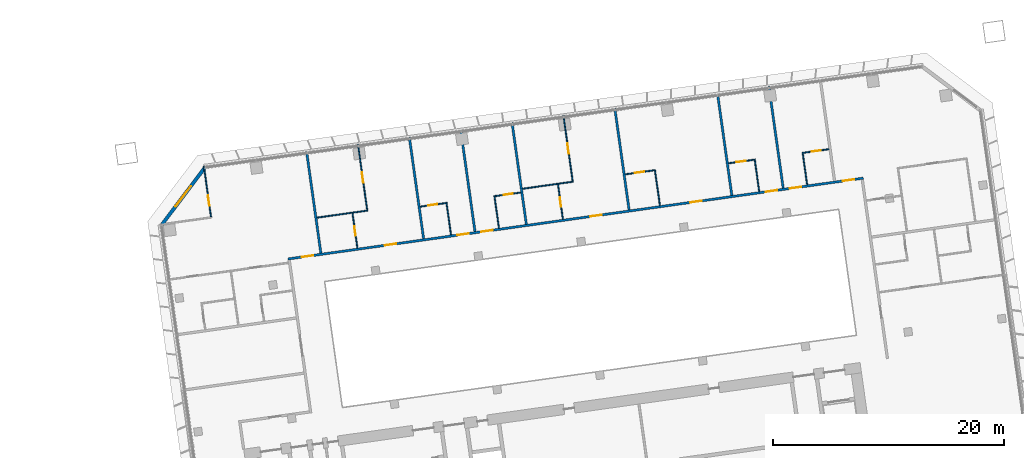
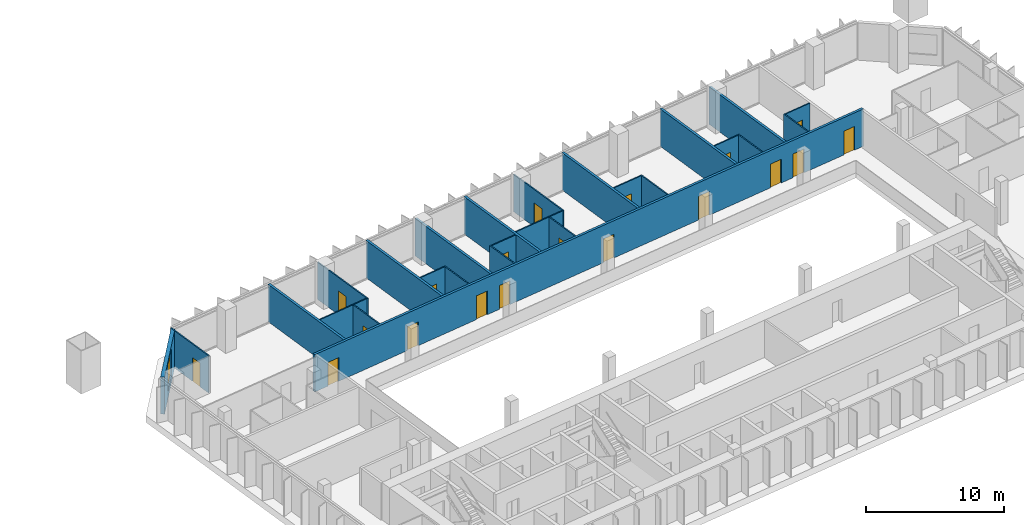
# One storey, part 20 of 24: 26 walls, 19 doors, 1 window, 20 openings.
"""IFC4 building model written with IfcOpenShell, lengths in metres."""

from ifc_helpers import new_model, si_unit, direction, frame, frame_2d, origin, place, context, subcontext, project, spatial, rectangle, extrude, material, layer, layer_set, type_object, element, fill, save


model = new_model("IFC4")

# Units and contexts
model_context = context("Model", 3, precision=1e-05, world=origin(), true_north=direction((0.0, 1.0)))
body_context = subcontext(model_context, "Body", "Model", "MODEL_VIEW")
ifc_project = project(units=[si_unit("LENGTHUNIT", "METRE"), si_unit("AREAUNIT", "SQUARE_METRE"), si_unit("VOLUMEUNIT", "CUBIC_METRE"), si_unit("PLANEANGLEUNIT", "RADIAN"), si_unit("MASSUNIT", "GRAM", prefix="KILO")], contexts=[model_context])

# Site, building, storey
site_placement = place(None, origin())
site = spatial("IfcSite", under=ifc_project, at=site_placement, CompositionType="ELEMENT")
building_placement = place(site_placement, origin())
building = spatial("IfcBuilding", under=site, at=building_placement, Name="Mirante Cascada Hotel Towers", CompositionType="ELEMENT")
storey_placement = place(building_placement, frame((0.0, 0.0, 88.9)))
storey = spatial("IfcBuildingStorey", under=building, at=storey_placement, Name="L19", CompositionType="ELEMENT", Elevation=88.9)

# Wall, openings, doors
ifc_material_1 = material(Name="Fire-rated plasterboard on metal studs")
ifc_layer_1 = layer(ifc_material_1, 0.2)
ifc_layer_set_1 = layer_set([ifc_layer_1], Name="Compartment wall 200 EI 120")
wall_type_1 = type_object("IfcWallType", Name="Compartment wall 200 EI 120", PredefinedType="PARTITIONING", material=ifc_layer_set_1)
wall_1_placement = place(storey_placement, frame((39.1051, 9.3779, 0.0), z_axis=(0.0, 0.0, 1.0), x_axis=(0.9902681, 0.1391727, 0.0)))
wall_1 = element("IfcWall", 1, at=wall_1_placement, inside=storey, type_object=wall_type_1, Name="Wall 2-L19-14", PredefinedType="PARTITIONING", context=body_context, shape_type="SweptSolid", body=[
    extrude(rectangle(XDim=50.4, YDim=0.2, at=frame_2d((25.2, 0.0))), origin(), (0.0, 0.0, 1.0), 3.3),
])
opening_1_placement = place(wall_1_placement, frame((1.2, 0.0, 0.0)))
opening_1 = element("IfcOpeningElement", 2, at=opening_1_placement, cuts=wall_1, Name="Opening D2-L19-08", PredefinedType="OPENING", context=body_context, shape_type="SweptSolid", body=[
    extrude(rectangle(XDim=1.0, YDim=2.1, at=frame_2d((0.5, 1.05))), frame((0.0, 0.1, 0.0), z_axis=(0.0, -1.0, 0.0), x_axis=(1.0, 0.0, 0.0)), (0.0, 0.0, 1.0), 0.2),
])
opening_2_placement = place(wall_1_placement, frame((8.5, 0.0, 0.0)))
opening_2 = element("IfcOpeningElement", 3, at=opening_2_placement, cuts=wall_1, Name="Opening D2-L19-09", PredefinedType="OPENING", context=body_context, shape_type="SweptSolid", body=[
    extrude(rectangle(XDim=1.0, YDim=2.1, at=frame_2d((0.5, 1.05))), frame((0.0, 0.1, 0.0), z_axis=(0.0, -1.0, 0.0), x_axis=(1.0, 0.0, 0.0)), (0.0, 0.0, 1.0), 0.2),
])
opening_3_placement = place(wall_1_placement, frame((14.85, 0.0, 0.0)))
opening_3 = element("IfcOpeningElement", 4, at=opening_3_placement, cuts=wall_1, Name="Opening D2-L19-10", PredefinedType="OPENING", context=body_context, shape_type="SweptSolid", body=[
    extrude(rectangle(XDim=1.0, YDim=2.1, at=frame_2d((0.5, 1.05))), frame((0.0, 0.1, 0.0), z_axis=(0.0, -1.0, 0.0), x_axis=(1.0, 0.0, 0.0)), (0.0, 0.0, 1.0), 0.2),
])
opening_4_placement = place(wall_1_placement, frame((16.95, 0.0, 0.0)))
opening_4 = element("IfcOpeningElement", 5, at=opening_4_placement, cuts=wall_1, Name="Opening D2-L19-11", PredefinedType="OPENING", context=body_context, shape_type="SweptSolid", body=[
    extrude(rectangle(XDim=1.0, YDim=2.1, at=frame_2d((0.5, 1.05))), frame((0.0, 0.1, 0.0), z_axis=(0.0, -1.0, 0.0), x_axis=(1.0, 0.0, 0.0)), (0.0, 0.0, 1.0), 0.2),
])
opening_5_placement = place(wall_1_placement, frame((26.5, 0.0, 0.0)))
opening_5 = element("IfcOpeningElement", 6, at=opening_5_placement, cuts=wall_1, Name="Opening D2-L19-12", PredefinedType="OPENING", context=body_context, shape_type="SweptSolid", body=[
    extrude(rectangle(XDim=1.0, YDim=2.1, at=frame_2d((0.5, 1.05))), frame((0.0, 0.1, 0.0), z_axis=(0.0, -1.0, 0.0), x_axis=(1.0, 0.0, 0.0)), (0.0, 0.0, 1.0), 0.2),
])
opening_6_placement = place(wall_1_placement, frame((35.25, 0.0, 0.0)))
opening_6 = element("IfcOpeningElement", 7, at=opening_6_placement, cuts=wall_1, Name="Opening D2-L19-13", PredefinedType="OPENING", context=body_context, shape_type="SweptSolid", body=[
    extrude(rectangle(XDim=1.0, YDim=2.1, at=frame_2d((0.5, 1.05))), frame((0.0, 0.1, 0.0), z_axis=(0.0, -1.0, 0.0), x_axis=(1.0, 0.0, 0.0)), (0.0, 0.0, 1.0), 0.2),
])
opening_7_placement = place(wall_1_placement, frame((41.85, 0.0, 0.0)))
opening_7 = element("IfcOpeningElement", 8, at=opening_7_placement, cuts=wall_1, Name="Opening D2-L19-14", PredefinedType="OPENING", context=body_context, shape_type="SweptSolid", body=[
    extrude(rectangle(XDim=1.0, YDim=2.1, at=frame_2d((0.5, 1.05))), frame((0.0, 0.1, 0.0), z_axis=(0.0, -1.0, 0.0), x_axis=(1.0, 0.0, 0.0)), (0.0, 0.0, 1.0), 0.2),
])
opening_8_placement = place(wall_1_placement, frame((43.95, 0.0, 0.0)))
opening_8 = element("IfcOpeningElement", 9, at=opening_8_placement, cuts=wall_1, Name="Opening D2-L19-15", PredefinedType="OPENING", context=body_context, shape_type="SweptSolid", body=[
    extrude(rectangle(XDim=1.0, YDim=2.1, at=frame_2d((0.5, 1.05))), frame((0.0, 0.1, 0.0), z_axis=(0.0, -1.0, 0.0), x_axis=(1.0, 0.0, 0.0)), (0.0, 0.0, 1.0), 0.2),
])
opening_9_placement = place(wall_1_placement, frame((48.6, 0.0, 0.0)))
opening_9 = element("IfcOpeningElement", 10, at=opening_9_placement, cuts=wall_1, Name="Opening D2-L19-16", PredefinedType="OPENING", context=body_context, shape_type="SweptSolid", body=[
    extrude(rectangle(XDim=1.0, YDim=2.1, at=frame_2d((0.5, 1.05))), frame((0.0, 0.1, 0.0), z_axis=(0.0, -1.0, 0.0), x_axis=(1.0, 0.0, 0.0)), (0.0, 0.0, 1.0), 0.2),
])
ifc_material_2 = material(Name="Fire-rated timber door leaf", Category="wood")
door_type_1 = type_object("IfcDoorType", Name="Entrance door DG1 1000x2100 EI 60", OperationType="SINGLE_SWING_LEFT", PredefinedType="DOOR", material=ifc_material_2)
door_1_placement = place(opening_1_placement, origin())
door_1 = element("IfcDoor", 11, at=door_1_placement, inside=storey, type_object=door_type_1, Name="Door D2-L19-08", OperationType="SINGLE_SWING_LEFT", OverallHeight=2.1, OverallWidth=1.0, PredefinedType="DOOR", context=body_context, shape_type="SweptSolid", body=[
    extrude(rectangle(XDim=1.0, YDim=2.1, at=frame_2d((0.5, 1.05))), frame((0.0, 0.025, 0.0), z_axis=(0.0, -1.0, 0.0), x_axis=(1.0, 0.0, 0.0)), (0.0, 0.0, 1.0), 0.05),
])
fill(opening_1, door_1)
door_2_placement = place(opening_2_placement, origin())
door_2 = element("IfcDoor", 12, at=door_2_placement, inside=storey, type_object=door_type_1, Name="Door D2-L19-09", OperationType="SINGLE_SWING_LEFT", OverallHeight=2.1, OverallWidth=1.0, PredefinedType="DOOR", context=body_context, shape_type="SweptSolid", body=[
    extrude(rectangle(XDim=1.0, YDim=2.1, at=frame_2d((0.5, 1.05))), frame((0.0, 0.025, 0.0), z_axis=(0.0, -1.0, 0.0), x_axis=(1.0, 0.0, 0.0)), (0.0, 0.0, 1.0), 0.05),
])
fill(opening_2, door_2)
door_3_placement = place(opening_3_placement, origin())
door_3 = element("IfcDoor", 13, at=door_3_placement, inside=storey, type_object=door_type_1, Name="Door D2-L19-10", OperationType="SINGLE_SWING_LEFT", OverallHeight=2.1, OverallWidth=1.0, PredefinedType="DOOR", context=body_context, shape_type="SweptSolid", body=[
    extrude(rectangle(XDim=1.0, YDim=2.1, at=frame_2d((0.5, 1.05))), frame((0.0, 0.025, 0.0), z_axis=(0.0, -1.0, 0.0), x_axis=(1.0, 0.0, 0.0)), (0.0, 0.0, 1.0), 0.05),
])
fill(opening_3, door_3)
door_4_placement = place(opening_4_placement, origin())
door_4 = element("IfcDoor", 14, at=door_4_placement, inside=storey, type_object=door_type_1, Name="Door D2-L19-11", OperationType="SINGLE_SWING_LEFT", OverallHeight=2.1, OverallWidth=1.0, PredefinedType="DOOR", context=body_context, shape_type="SweptSolid", body=[
    extrude(rectangle(XDim=1.0, YDim=2.1, at=frame_2d((0.5, 1.05))), frame((0.0, 0.025, 0.0), z_axis=(0.0, -1.0, 0.0), x_axis=(1.0, 0.0, 0.0)), (0.0, 0.0, 1.0), 0.05),
])
fill(opening_4, door_4)
door_5_placement = place(opening_5_placement, origin())
door_5 = element("IfcDoor", 15, at=door_5_placement, inside=storey, type_object=door_type_1, Name="Door D2-L19-12", OperationType="SINGLE_SWING_LEFT", OverallHeight=2.1, OverallWidth=1.0, PredefinedType="DOOR", context=body_context, shape_type="SweptSolid", body=[
    extrude(rectangle(XDim=1.0, YDim=2.1, at=frame_2d((0.5, 1.05))), frame((0.0, 0.025, 0.0), z_axis=(0.0, -1.0, 0.0), x_axis=(1.0, 0.0, 0.0)), (0.0, 0.0, 1.0), 0.05),
])
fill(opening_5, door_5)
door_6_placement = place(opening_6_placement, origin())
door_6 = element("IfcDoor", 16, at=door_6_placement, inside=storey, type_object=door_type_1, Name="Door D2-L19-13", OperationType="SINGLE_SWING_LEFT", OverallHeight=2.1, OverallWidth=1.0, PredefinedType="DOOR", context=body_context, shape_type="SweptSolid", body=[
    extrude(rectangle(XDim=1.0, YDim=2.1, at=frame_2d((0.5, 1.05))), frame((0.0, 0.025, 0.0), z_axis=(0.0, -1.0, 0.0), x_axis=(1.0, 0.0, 0.0)), (0.0, 0.0, 1.0), 0.05),
])
fill(opening_6, door_6)
door_7_placement = place(opening_7_placement, origin())
door_7 = element("IfcDoor", 17, at=door_7_placement, inside=storey, type_object=door_type_1, Name="Door D2-L19-14", OperationType="SINGLE_SWING_LEFT", OverallHeight=2.1, OverallWidth=1.0, PredefinedType="DOOR", context=body_context, shape_type="SweptSolid", body=[
    extrude(rectangle(XDim=1.0, YDim=2.1, at=frame_2d((0.5, 1.05))), frame((0.0, 0.025, 0.0), z_axis=(0.0, -1.0, 0.0), x_axis=(1.0, 0.0, 0.0)), (0.0, 0.0, 1.0), 0.05),
])
fill(opening_7, door_7)
door_8_placement = place(opening_8_placement, origin())
door_8 = element("IfcDoor", 18, at=door_8_placement, inside=storey, type_object=door_type_1, Name="Door D2-L19-15", OperationType="SINGLE_SWING_LEFT", OverallHeight=2.1, OverallWidth=1.0, PredefinedType="DOOR", context=body_context, shape_type="SweptSolid", body=[
    extrude(rectangle(XDim=1.0, YDim=2.1, at=frame_2d((0.5, 1.05))), frame((0.0, 0.025, 0.0), z_axis=(0.0, -1.0, 0.0), x_axis=(1.0, 0.0, 0.0)), (0.0, 0.0, 1.0), 0.05),
])
fill(opening_8, door_8)
door_9_placement = place(opening_9_placement, origin())
door_9 = element("IfcDoor", 19, at=door_9_placement, inside=storey, type_object=door_type_1, Name="Door D2-L19-16", OperationType="SINGLE_SWING_LEFT", OverallHeight=2.1, OverallWidth=1.0, PredefinedType="DOOR", context=body_context, shape_type="SweptSolid", body=[
    extrude(rectangle(XDim=1.0, YDim=2.1, at=frame_2d((0.5, 1.05))), frame((0.0, 0.025, 0.0), z_axis=(0.0, -1.0, 0.0), x_axis=(1.0, 0.0, 0.0)), (0.0, 0.0, 1.0), 0.05),
])
fill(opening_9, door_9)

# Walls
for number, where, z_axis, x_axis, name in (
    (20, (41.963, 9.8805, 0.0), (0.0, 0.0, 1.0), (-0.1391794, 0.9902672, 0.0), "Wall 2-L19-32"),
    (21, (49.6367, 19.9465, 0.0), (0.0, 0.0, 1.0), (0.1391794, -0.9902672, 0.0), "Wall 2-L19-35"),
    (22, (54.0929, 20.5728, 0.0), (0.0, 0.0, 1.0), (0.1391794, -0.9902672, 0.0), "Wall 2-L19-37"),
):
    element("IfcWall", number, at=place(storey_placement, frame(where, z_axis=z_axis, x_axis=x_axis)), inside=storey, type_object=wall_type_1, Name=name, PredefinedType="PARTITIONING", context=body_context, shape_type="SweptSolid", body=[
        extrude(rectangle(XDim=8.9, YDim=0.2, at=frame_2d((4.45, 0.0))), origin(), (0.0, 0.0, 1.0), 3.3),
    ])
wall_2_placement = place(storey_placement, frame((58.5492, 21.199, 0.0), z_axis=(0.0, 0.0, 1.0), x_axis=(0.13917, -0.9902685, 0.0)))
element("IfcWall", 23, at=wall_2_placement, inside=storey, type_object=wall_type_1, Name="Wall 2-L19-39", PredefinedType="PARTITIONING", context=body_context, shape_type="SweptSolid", body=[
    extrude(rectangle(XDim=8.8999, YDim=0.2, at=frame_2d((4.45, 0.0))), origin(), (0.0, 0.0, 1.0), 3.3),
])
for number, where, z_axis, x_axis, name in (
    (24, (68.7002, 13.6382, 0.0), (0.0, 0.0, 1.0), (-0.1391684, 0.9902687, 0.0), "Wall 2-L19-42"),
    (25, (77.6126, 14.8908, 0.0), (0.0, 0.0, 1.0), (-0.1391684, 0.9902687, 0.0), "Wall 2-L19-44"),
):
    element("IfcWall", number, at=place(storey_placement, frame(where, z_axis=z_axis, x_axis=x_axis)), inside=storey, type_object=wall_type_1, Name=name, PredefinedType="PARTITIONING", context=body_context, shape_type="SweptSolid", body=[
        extrude(rectangle(XDim=8.9, YDim=0.2, at=frame_2d((4.45, 0.0))), origin(), (0.0, 0.0, 1.0), 3.3),
    ])
wall_3_placement = place(storey_placement, frame((82.0688, 15.5171, 0.0), z_axis=(0.0, 0.0, 1.0), x_axis=(-0.13917, 0.9902685, 0.0)))
element("IfcWall", 26, at=wall_3_placement, inside=storey, type_object=wall_type_1, Name="Wall 2-L19-46", PredefinedType="PARTITIONING", context=body_context, shape_type="SweptSolid", body=[
    extrude(rectangle(XDim=8.8999, YDim=0.2, at=frame_2d((4.45, 0.0))), origin(), (0.0, 0.0, 1.0), 3.3),
])

# Wall, opening, door
ifc_material_3 = material(Name="Plasterboard on metal studs")
ifc_layer_2 = layer(ifc_material_3, 0.1)
ifc_layer_set_2 = layer_set([ifc_layer_2], Name="Partition 100")
wall_type_2 = type_object("IfcWallType", Name="Partition 100", PredefinedType="PARTITIONING", material=ifc_layer_set_2)
wall_4_placement = place(storey_placement, frame((50.5847, 13.9198, 0.0), z_axis=(0.0, 0.0, 1.0), x_axis=(0.9902705, 0.1391561, 0.0)))
wall_4 = element("IfcWall", 27, at=wall_4_placement, inside=storey, type_object=wall_type_2, Name="Wall 2-L19-16", PredefinedType="PARTITIONING", context=body_context, shape_type="SweptSolid", body=[
    extrude(rectangle(XDim=2.25, YDim=0.1, at=frame_2d((1.125, 0.0))), origin(), (0.0, 0.0, 1.0), 3.3),
])
opening_10_placement = place(wall_4_placement, frame((0.7, 0.0, 0.0)))
opening_10 = element("IfcOpeningElement", 28, at=opening_10_placement, cuts=wall_4, Name="Opening D2-L19-18", PredefinedType="OPENING", context=body_context, shape_type="SweptSolid", body=[
    extrude(rectangle(XDim=0.8, YDim=2.1, at=frame_2d((0.4, 1.05))), frame((0.0, 0.05, 0.0), z_axis=(0.0, -1.0, 0.0), x_axis=(1.0, 0.0, 0.0)), (0.0, 0.0, 1.0), 0.1),
])
ifc_material_4 = material(Name="Timber door leaf", Category="wood")
door_type_2 = type_object("IfcDoorType", Name="Bathroom door DG4 800x2100", OperationType="SINGLE_SWING_LEFT", PredefinedType="DOOR", material=ifc_material_4)
door_10_placement = place(opening_10_placement, origin())
door_10 = element("IfcDoor", 29, at=door_10_placement, inside=storey, type_object=door_type_2, Name="Door D2-L19-18", OperationType="SINGLE_SWING_LEFT", OverallHeight=2.1, OverallWidth=0.8, PredefinedType="DOOR", context=body_context, shape_type="SweptSolid", body=[
    extrude(rectangle(XDim=0.8, YDim=2.1, at=frame_2d((0.4, 1.05))), frame((0.0, 0.025, 0.0), z_axis=(0.0, -1.0, 0.0), x_axis=(1.0, 0.0, 0.0)), (0.0, 0.0, 1.0), 0.05),
])
fill(opening_10, door_10)

wall_5_placement = place(storey_placement, frame((59.2991, 15.1445, 0.0), z_axis=(0.0, 0.0, 1.0), x_axis=(-0.9902705, -0.1391561, 0.0)))
wall_5 = element("IfcWall", 30, at=wall_5_placement, inside=storey, type_object=wall_type_2, Name="Wall 2-L19-17", PredefinedType="PARTITIONING", context=body_context, shape_type="SweptSolid", body=[
    extrude(rectangle(XDim=2.25, YDim=0.1, at=frame_2d((1.125, 0.0))), origin(), (0.0, 0.0, 1.0), 3.3),
])
opening_11_placement = place(wall_5_placement, frame((0.7, 0.0, 0.0)))
opening_11 = element("IfcOpeningElement", 31, at=opening_11_placement, cuts=wall_5, Name="Opening D2-L19-19", PredefinedType="OPENING", context=body_context, shape_type="SweptSolid", body=[
    extrude(rectangle(XDim=0.8, YDim=2.1, at=frame_2d((0.4, 1.05))), frame((0.0, 0.05, 0.0), z_axis=(0.0, -1.0, 0.0), x_axis=(1.0, 0.0, 0.0)), (0.0, 0.0, 1.0), 0.1),
])
door_11_placement = place(opening_11_placement, frame((0.8, 0.0, 0.0), z_axis=(0.0, 0.0, 1.0), x_axis=(-1.0, 0.0, 0.0)))
door_11 = element("IfcDoor", 32, at=door_11_placement, inside=storey, type_object=door_type_2, Name="Door D2-L19-19", OperationType="SINGLE_SWING_RIGHT", OverallHeight=2.1, OverallWidth=0.8, PredefinedType="DOOR", context=body_context, shape_type="SweptSolid", body=[
    extrude(rectangle(XDim=0.8, YDim=2.1, at=frame_2d((0.4, 1.05))), frame((0.0, 0.025, 0.0), z_axis=(0.0, -1.0, 0.0), x_axis=(1.0, 0.0, 0.0)), (0.0, 0.0, 1.0), 0.05),
])
fill(opening_11, door_11)

wall_6_placement = place(storey_placement, frame((77.322, 17.6774, 0.0), z_axis=(0.0, 0.0, 1.0), x_axis=(0.9902643, 0.1391997, 0.0)))
wall_6 = element("IfcWall", 33, at=wall_6_placement, inside=storey, type_object=wall_type_2, Name="Wall 2-L19-18", PredefinedType="PARTITIONING", context=body_context, shape_type="SweptSolid", body=[
    extrude(rectangle(XDim=2.25, YDim=0.1, at=frame_2d((1.125, 0.0))), origin(), (0.0, 0.0, 1.0), 3.3),
])
opening_12_placement = place(wall_6_placement, frame((0.7, 0.0, 0.0)))
opening_12 = element("IfcOpeningElement", 34, at=opening_12_placement, cuts=wall_6, Name="Opening D2-L19-20", PredefinedType="OPENING", context=body_context, shape_type="SweptSolid", body=[
    extrude(rectangle(XDim=0.8, YDim=2.1, at=frame_2d((0.4, 1.05))), frame((0.0, 0.05, 0.0), z_axis=(0.0, -1.0, 0.0), x_axis=(1.0, 0.0, 0.0)), (0.0, 0.0, 1.0), 0.1),
])
door_12_placement = place(opening_12_placement, origin())
door_12 = element("IfcDoor", 35, at=door_12_placement, inside=storey, type_object=door_type_2, Name="Door D2-L19-20", OperationType="SINGLE_SWING_LEFT", OverallHeight=2.1, OverallWidth=0.8, PredefinedType="DOOR", context=body_context, shape_type="SweptSolid", body=[
    extrude(rectangle(XDim=0.8, YDim=2.1, at=frame_2d((0.4, 1.05))), frame((0.0, 0.025, 0.0), z_axis=(0.0, -1.0, 0.0), x_axis=(1.0, 0.0, 0.0)), (0.0, 0.0, 1.0), 0.05),
])
fill(opening_12, door_12)

wall_7_placement = place(storey_placement, frame((86.0363, 18.9022, 0.0), z_axis=(0.0, 0.0, 1.0), x_axis=(-0.9902643, -0.1391997, 0.0)))
wall_7 = element("IfcWall", 36, at=wall_7_placement, inside=storey, type_object=wall_type_2, Name="Wall 2-L19-19", PredefinedType="PARTITIONING", context=body_context, shape_type="SweptSolid", body=[
    extrude(rectangle(XDim=2.25, YDim=0.1, at=frame_2d((1.125, 0.0))), origin(), (0.0, 0.0, 1.0), 3.3),
])
opening_13_placement = place(wall_7_placement, frame((0.7, 0.0, 0.0)))
opening_13 = element("IfcOpeningElement", 37, at=opening_13_placement, cuts=wall_7, Name="Opening D2-L19-21", PredefinedType="OPENING", context=body_context, shape_type="SweptSolid", body=[
    extrude(rectangle(XDim=0.8, YDim=2.1, at=frame_2d((0.4, 1.05))), frame((0.0, 0.05, 0.0), z_axis=(0.0, -1.0, 0.0), x_axis=(1.0, 0.0, 0.0)), (0.0, 0.0, 1.0), 0.1),
])
door_13_placement = place(opening_13_placement, frame((0.8, 0.0, 0.0), z_axis=(0.0, 0.0, 1.0), x_axis=(-1.0, 0.0, 0.0)))
door_13 = element("IfcDoor", 38, at=door_13_placement, inside=storey, type_object=door_type_2, Name="Door D2-L19-21", OperationType="SINGLE_SWING_RIGHT", OverallHeight=2.1, OverallWidth=0.8, PredefinedType="DOOR", context=body_context, shape_type="SweptSolid", body=[
    extrude(rectangle(XDim=0.8, YDim=2.1, at=frame_2d((0.4, 1.05))), frame((0.0, 0.025, 0.0), z_axis=(0.0, -1.0, 0.0), x_axis=(1.0, 0.0, 0.0)), (0.0, 0.0, 1.0), 0.05),
])
fill(opening_13, door_13)

# Walls
wall_8_placement = place(storey_placement, frame((41.6306, 12.9643, 0.0), z_axis=(0.0, 0.0, 1.0), x_axis=(0.9902679, 0.1391745, 0.0)))
element("IfcWall", 39, at=wall_8_placement, inside=storey, type_object=wall_type_2, Name="Wall 2-L19-20", PredefinedType="PARTITIONING", context=body_context, shape_type="SweptSolid", body=[
    extrude(rectangle(XDim=4.3499, YDim=0.1, at=frame_2d((2.175, 0.0))), origin(), (0.0, 0.0, 1.0), 3.3),
])
wall_9_placement = place(storey_placement, frame((63.7631, 16.0748, 0.0), z_axis=(0.0, 0.0, 1.0), x_axis=(-0.9902683, -0.1391714, 0.0)))
element("IfcWall", 40, at=wall_9_placement, inside=storey, type_object=wall_type_2, Name="Wall 2-L19-21", PredefinedType="PARTITIONING", context=body_context, shape_type="SweptSolid", body=[
    extrude(rectangle(XDim=4.35, YDim=0.1, at=frame_2d((2.175, 0.0))), origin(), (0.0, 0.0, 1.0), 3.3),
])

# Wall, opening, door
wall_10_placement = place(storey_placement, frame((68.3678, 16.722, 0.0), z_axis=(0.0, 0.0, 1.0), x_axis=(0.9902677, 0.1391755, 0.0)))
wall_10 = element("IfcWall", 41, at=wall_10_placement, inside=storey, type_object=wall_type_2, Name="Wall 2-L19-22", PredefinedType="PARTITIONING", context=body_context, shape_type="SweptSolid", body=[
    extrude(rectangle(XDim=2.55, YDim=0.1, at=frame_2d((1.275, 0.0))), origin(), (0.0, 0.0, 1.0), 3.3),
])
opening_14_placement = place(wall_10_placement, frame((0.85, 0.0, 0.0)))
opening_14 = element("IfcOpeningElement", 42, at=opening_14_placement, cuts=wall_10, Name="Opening D2-L19-22", PredefinedType="OPENING", context=body_context, shape_type="SweptSolid", body=[
    extrude(rectangle(XDim=0.8, YDim=2.1, at=frame_2d((0.4, 1.05))), frame((0.0, 0.05, 0.0), z_axis=(0.0, -1.0, 0.0), x_axis=(1.0, 0.0, 0.0)), (0.0, 0.0, 1.0), 0.1),
])
door_14_placement = place(opening_14_placement, origin())
door_14 = element("IfcDoor", 43, at=door_14_placement, inside=storey, type_object=door_type_2, Name="Door D2-L19-22", OperationType="SINGLE_SWING_LEFT", OverallHeight=2.1, OverallWidth=0.8, PredefinedType="DOOR", context=body_context, shape_type="SweptSolid", body=[
    extrude(rectangle(XDim=0.8, YDim=2.1, at=frame_2d((0.4, 1.05))), frame((0.0, 0.025, 0.0), z_axis=(0.0, -1.0, 0.0), x_axis=(1.0, 0.0, 0.0)), (0.0, 0.0, 1.0), 0.05),
])
fill(opening_14, door_14)

wall_11_placement = place(storey_placement, frame((32.4312, 13.0347, 0.0), z_axis=(0.0, 0.0, 1.0), x_axis=(-0.1391684, 0.9902687, 0.0)))
wall_11 = element("IfcWall", 44, at=wall_11_placement, inside=storey, type_object=wall_type_2, Name="Wall 2-L19-28", PredefinedType="PARTITIONING", context=body_context, shape_type="SweptSolid", body=[
    extrude(rectangle(XDim=4.45, YDim=0.1, at=frame_2d((2.225, 0.0))), origin(), (0.0, 0.0, 1.0), 3.3),
])
opening_15_placement = place(wall_11_placement, frame((0.9667, 0.0, 0.0)))
opening_15 = element("IfcOpeningElement", 45, at=opening_15_placement, cuts=wall_11, Name="Opening D2-L19-24", PredefinedType="OPENING", context=body_context, shape_type="SweptSolid", body=[
    extrude(rectangle(XDim=0.9, YDim=2.1, at=frame_2d((0.45, 1.05))), frame((0.0, 0.05, 0.0), z_axis=(0.0, -1.0, 0.0), x_axis=(1.0, 0.0, 0.0)), (0.0, 0.0, 1.0), 0.1),
])
ifc_material_5 = material(Name="Timber door leaf", Category="wood")
door_type_3 = type_object("IfcDoorType", Name="Room door DG3 900x2100", OperationType="SINGLE_SWING_LEFT", PredefinedType="DOOR", material=ifc_material_5)
door_15_placement = place(opening_15_placement, frame((0.9, 0.0, 0.0), z_axis=(0.0, 0.0, 1.0), x_axis=(-1.0, 0.0, 0.0)))
door_15 = element("IfcDoor", 46, at=door_15_placement, inside=storey, type_object=door_type_3, Name="Door D2-L19-24", OperationType="SINGLE_SWING_RIGHT", OverallHeight=2.1, OverallWidth=0.9, PredefinedType="DOOR", context=body_context, shape_type="SweptSolid", body=[
    extrude(rectangle(XDim=0.9, YDim=2.1, at=frame_2d((0.45, 1.05))), frame((0.0, 0.025, 0.0), z_axis=(0.0, -1.0, 0.0), x_axis=(1.0, 0.0, 0.0)), (0.0, 0.0, 1.0), 0.05),
])
fill(opening_15, door_15)

wall_12_placement = place(storey_placement, frame((44.7074, 13.3462, 0.0), z_axis=(0.0, 0.0, 1.0), x_axis=(0.1391488, -0.9902715, 0.0)))
wall_12 = element("IfcWall", 47, at=wall_12_placement, inside=storey, type_object=wall_type_2, Name="Wall 2-L19-33", PredefinedType="PARTITIONING", context=body_context, shape_type="SweptSolid", body=[
    extrude(rectangle(XDim=3.05, YDim=0.1, at=frame_2d((1.525, 0.0))), origin(), (0.0, 0.0, 1.0), 3.3),
])
opening_16_placement = place(wall_12_placement, frame((1.15, 0.0, 0.0)))
opening_16 = element("IfcOpeningElement", 48, at=opening_16_placement, cuts=wall_12, Name="Opening D2-L19-27", PredefinedType="OPENING", context=body_context, shape_type="SweptSolid", body=[
    extrude(rectangle(XDim=0.8, YDim=2.1, at=frame_2d((0.4, 1.05))), frame((0.0, 0.05, 0.0), z_axis=(0.0, -1.0, 0.0), x_axis=(1.0, 0.0, 0.0)), (0.0, 0.0, 1.0), 0.1),
])
door_16_placement = place(opening_16_placement, origin())
door_16 = element("IfcDoor", 49, at=door_16_placement, inside=storey, type_object=door_type_2, Name="Door D2-L19-27", OperationType="SINGLE_SWING_LEFT", OverallHeight=2.1, OverallWidth=0.8, PredefinedType="DOOR", context=body_context, shape_type="SweptSolid", body=[
    extrude(rectangle(XDim=0.8, YDim=2.1, at=frame_2d((0.4, 1.05))), frame((0.0, 0.025, 0.0), z_axis=(0.0, -1.0, 0.0), x_axis=(1.0, 0.0, 0.0)), (0.0, 0.0, 1.0), 0.05),
])
fill(opening_16, door_16)

wall_13_placement = place(storey_placement, frame((45.9947, 13.5271, 0.0), z_axis=(0.0, 0.0, 1.0), x_axis=(-0.1391786, 0.9902673, 0.0)))
wall_13 = element("IfcWall", 50, at=wall_13_placement, inside=storey, type_object=wall_type_2, Name="Wall 2-L19-34", PredefinedType="PARTITIONING", context=body_context, shape_type="SweptSolid", body=[
    extrude(rectangle(XDim=5.85, YDim=0.1, at=frame_2d((2.925, 0.0))), origin(), (0.0, 0.0, 1.0), 3.3),
])
opening_17_placement = place(wall_13_placement, frame((2.5, 0.0, 0.0)))
opening_17 = element("IfcOpeningElement", 51, at=opening_17_placement, cuts=wall_13, Name="Opening D2-L19-28", PredefinedType="OPENING", context=body_context, shape_type="SweptSolid", body=[
    extrude(rectangle(XDim=0.9, YDim=2.1, at=frame_2d((0.45, 1.05))), frame((0.0, 0.05, 0.0), z_axis=(0.0, -1.0, 0.0), x_axis=(1.0, 0.0, 0.0)), (0.0, 0.0, 1.0), 0.1),
])
door_17_placement = place(opening_17_placement, frame((0.9, 0.0, 0.0), z_axis=(0.0, 0.0, 1.0), x_axis=(-1.0, 0.0, 0.0)))
door_17 = element("IfcDoor", 52, at=door_17_placement, inside=storey, type_object=door_type_3, Name="Door D2-L19-28", OperationType="SINGLE_SWING_RIGHT", OverallHeight=2.1, OverallWidth=0.9, PredefinedType="DOOR", context=body_context, shape_type="SweptSolid", body=[
    extrude(rectangle(XDim=0.9, YDim=2.1, at=frame_2d((0.45, 1.05))), frame((0.0, 0.025, 0.0), z_axis=(0.0, -1.0, 0.0), x_axis=(1.0, 0.0, 0.0)), (0.0, 0.0, 1.0), 0.05),
])
fill(opening_17, door_17)

# Walls
for number, where, z_axis, x_axis, name in (
    (53, (53.252, 11.4671, 0.0), (0.0, 0.0, 1.0), (-0.1391564, 0.9902704, 0.0), "Wall 2-L19-36"),
    (54, (57.4112, 12.0516, 0.0), (0.0, 0.0, 1.0), (-0.1391909, 0.9902656, 0.0), "Wall 2-L19-38"),
):
    element("IfcWall", number, at=place(storey_placement, frame(where, z_axis=z_axis, x_axis=x_axis)), inside=storey, type_object=wall_type_2, Name=name, PredefinedType="PARTITIONING", context=body_context, shape_type="SweptSolid", body=[
        extrude(rectangle(XDim=2.85, YDim=0.1, at=frame_2d((1.425, 0.0))), origin(), (0.0, 0.0, 1.0), 3.3),
    ])

# Wall, opening, door
wall_14_placement = place(storey_placement, frame((62.9567, 12.831, 0.0), z_axis=(0.0, 0.0, 1.0), x_axis=(-0.139181, 0.990267, 0.0)))
wall_14 = element("IfcWall", 55, at=wall_14_placement, inside=storey, type_object=wall_type_2, Name="Wall 2-L19-40", PredefinedType="PARTITIONING", context=body_context, shape_type="SweptSolid", body=[
    extrude(rectangle(XDim=3.05, YDim=0.1, at=frame_2d((1.525, 0.0))), origin(), (0.0, 0.0, 1.0), 3.3),
])
opening_18_placement = place(wall_14_placement, frame((1.1, 0.0, 0.0)))
opening_18 = element("IfcOpeningElement", 56, at=opening_18_placement, cuts=wall_14, Name="Opening D2-L19-29", PredefinedType="OPENING", context=body_context, shape_type="SweptSolid", body=[
    extrude(rectangle(XDim=0.8, YDim=2.1, at=frame_2d((0.4, 1.05))), frame((0.0, 0.05, 0.0), z_axis=(0.0, -1.0, 0.0), x_axis=(1.0, 0.0, 0.0)), (0.0, 0.0, 1.0), 0.1),
])
door_18_placement = place(opening_18_placement, frame((0.8, 0.0, 0.0), z_axis=(0.0, 0.0, 1.0), x_axis=(-1.0, 0.0, 0.0)))
door_18 = element("IfcDoor", 57, at=door_18_placement, inside=storey, type_object=door_type_2, Name="Door D2-L19-29", OperationType="SINGLE_SWING_RIGHT", OverallHeight=2.1, OverallWidth=0.8, PredefinedType="DOOR", context=body_context, shape_type="SweptSolid", body=[
    extrude(rectangle(XDim=0.8, YDim=2.1, at=frame_2d((0.4, 1.05))), frame((0.0, 0.025, 0.0), z_axis=(0.0, -1.0, 0.0), x_axis=(1.0, 0.0, 0.0)), (0.0, 0.0, 1.0), 0.05),
])
fill(opening_18, door_18)

wall_15_placement = place(storey_placement, frame((63.0054, 21.8253, 0.0), z_axis=(0.0, 0.0, 1.0), x_axis=(0.1391642, -0.9902693, 0.0)))
wall_15 = element("IfcWall", 58, at=wall_15_placement, inside=storey, type_object=wall_type_2, Name="Wall 2-L19-41", PredefinedType="PARTITIONING", context=body_context, shape_type="SweptSolid", body=[
    extrude(rectangle(XDim=5.8499, YDim=0.1, at=frame_2d((2.925, 0.0))), origin(), (0.0, 0.0, 1.0), 3.3),
])
opening_19_placement = place(wall_15_placement, frame((2.45, 0.0, 0.0)))
opening_19 = element("IfcOpeningElement", 59, at=opening_19_placement, cuts=wall_15, Name="Opening D2-L19-30", PredefinedType="OPENING", context=body_context, shape_type="SweptSolid", body=[
    extrude(rectangle(XDim=0.9, YDim=2.1, at=frame_2d((0.45, 1.05))), frame((0.0, 0.05, 0.0), z_axis=(0.0, -1.0, 0.0), x_axis=(1.0, 0.0, 0.0)), (0.0, 0.0, 1.0), 0.1),
])
door_19_placement = place(opening_19_placement, origin())
door_19 = element("IfcDoor", 60, at=door_19_placement, inside=storey, type_object=door_type_3, Name="Door D2-L19-30", OperationType="SINGLE_SWING_LEFT", OverallHeight=2.1, OverallWidth=0.9, PredefinedType="DOOR", context=body_context, shape_type="SweptSolid", body=[
    extrude(rectangle(XDim=0.9, YDim=2.1, at=frame_2d((0.45, 1.05))), frame((0.0, 0.025, 0.0), z_axis=(0.0, -1.0, 0.0), x_axis=(1.0, 0.0, 0.0)), (0.0, 0.0, 1.0), 0.05),
])
fill(opening_19, door_19)

# Walls
wall_16_placement = place(storey_placement, frame((70.9355, 17.1333, 0.0), z_axis=(0.0, 0.0, 1.0), x_axis=(0.1391765, -0.9902676, 0.0)))
element("IfcWall", 61, at=wall_16_placement, inside=storey, type_object=wall_type_2, Name="Wall 2-L19-43", PredefinedType="PARTITIONING", context=body_context, shape_type="SweptSolid", body=[
    extrude(rectangle(XDim=3.15, YDim=0.1, at=frame_2d((1.575, 0.0))), origin(), (0.0, 0.0, 1.0), 3.3),
])
for number, where, z_axis, x_axis, name in (
    (62, (79.5926, 18.0471, 0.0), (0.0, 0.0, 1.0), (0.1391909, -0.9902656, 0.0), "Wall 2-L19-45"),
    (63, (83.7517, 18.6316, 0.0), (0.0, 0.0, 1.0), (0.1391909, -0.9902656, 0.0), "Wall 2-L19-47"),
):
    element("IfcWall", number, at=place(storey_placement, frame(where, z_axis=z_axis, x_axis=x_axis)), inside=storey, type_object=wall_type_2, Name=name, PredefinedType="PARTITIONING", context=body_context, shape_type="SweptSolid", body=[
        extrude(rectangle(XDim=2.85, YDim=0.1, at=frame_2d((1.425, 0.0))), origin(), (0.0, 0.0, 1.0), 3.3),
    ])

# Wall, opening, window
ifc_material_6 = material(Name="Precast concrete C40/50", Category="concrete")
ifc_layer_3 = layer(ifc_material_6, 0.3)
ifc_layer_set_3 = layer_set([ifc_layer_3], Name="Precast concrete C40/50 cladding wall 300")
wall_type_3 = type_object("IfcWallType", Name="Precast concrete C40/50 cladding wall 300", PredefinedType="STANDARD", material=ifc_layer_set_3)
wall_17_placement = place(storey_placement, frame((31.857, 17.252, 0.0), z_axis=(0.0, 0.0, 1.0), x_axis=(-0.6018141, -0.7986362, 0.0)))
wall_17 = element("IfcWall", 64, at=wall_17_placement, inside=storey, type_object=wall_type_3, Name="Corner cladding wall T2 L19 front inner", PredefinedType="STANDARD", context=body_context, shape_type="SweptSolid", body=[
    extrude(rectangle(XDim=6.1157, YDim=0.3, at=frame_2d((3.0578, 0.0))), origin(), (0.0, 0.0, 1.0), 3.3),
])
opening_20_placement = place(wall_17_placement, frame((1.9578, 0.0, 0.6)))
opening_20 = element("IfcOpeningElement", 65, at=opening_20_placement, cuts=wall_17, Name="Opening W2-19-04", PredefinedType="OPENING", context=body_context, shape_type="SweptSolid", body=[
    extrude(rectangle(XDim=2.2, YDim=2.4, at=frame_2d((1.1, 1.2))), frame((0.0, 0.15, 0.0), z_axis=(0.0, -1.0, 0.0), x_axis=(1.0, 0.0, 0.0)), (0.0, 0.0, 1.0), 0.3),
])
ifc_material_7 = material(Name="Aluminium frame with clear double glazing", Category="aluminium")
window_type = type_object("IfcWindowType", Name="Corner suite window 2200x2400", PartitioningType="DOUBLE_PANEL_VERTICAL", PredefinedType="WINDOW", material=ifc_material_7)
window_placement = place(opening_20_placement, origin())
window = element("IfcWindow", 66, at=window_placement, inside=storey, type_object=window_type, Name="Window W2-19-04", OverallHeight=2.4, OverallWidth=2.2, PartitioningType="SINGLE_PANEL", PredefinedType="WINDOW", context=body_context, shape_type="SweptSolid", body=[
    extrude(rectangle(XDim=2.2, YDim=2.4, at=frame_2d((1.1, 1.2))), frame((0.0, 0.03, 0.0), z_axis=(0.0, -1.0, 0.0), x_axis=(1.0, 0.0, 0.0)), (0.0, 0.0, 1.0), 0.06),
])
fill(opening_20, window)

save(model, "model.ifc")
